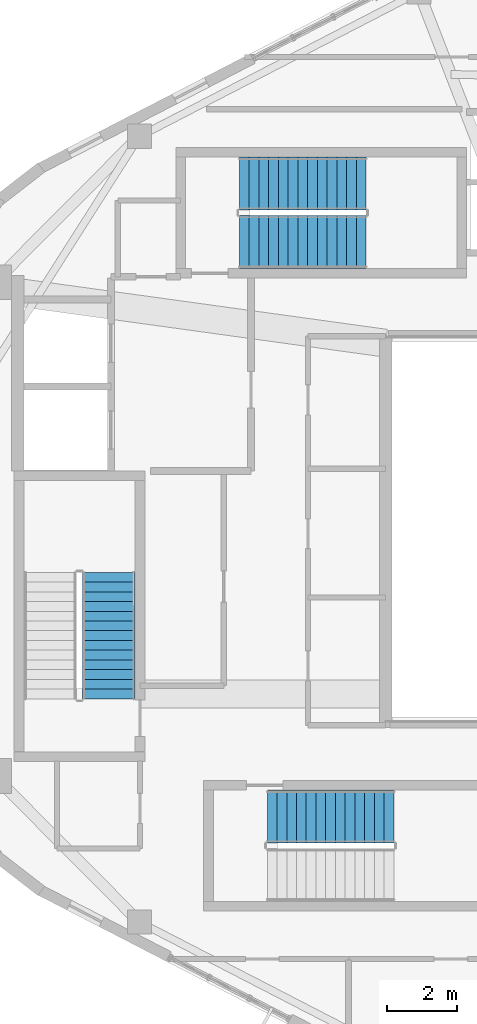
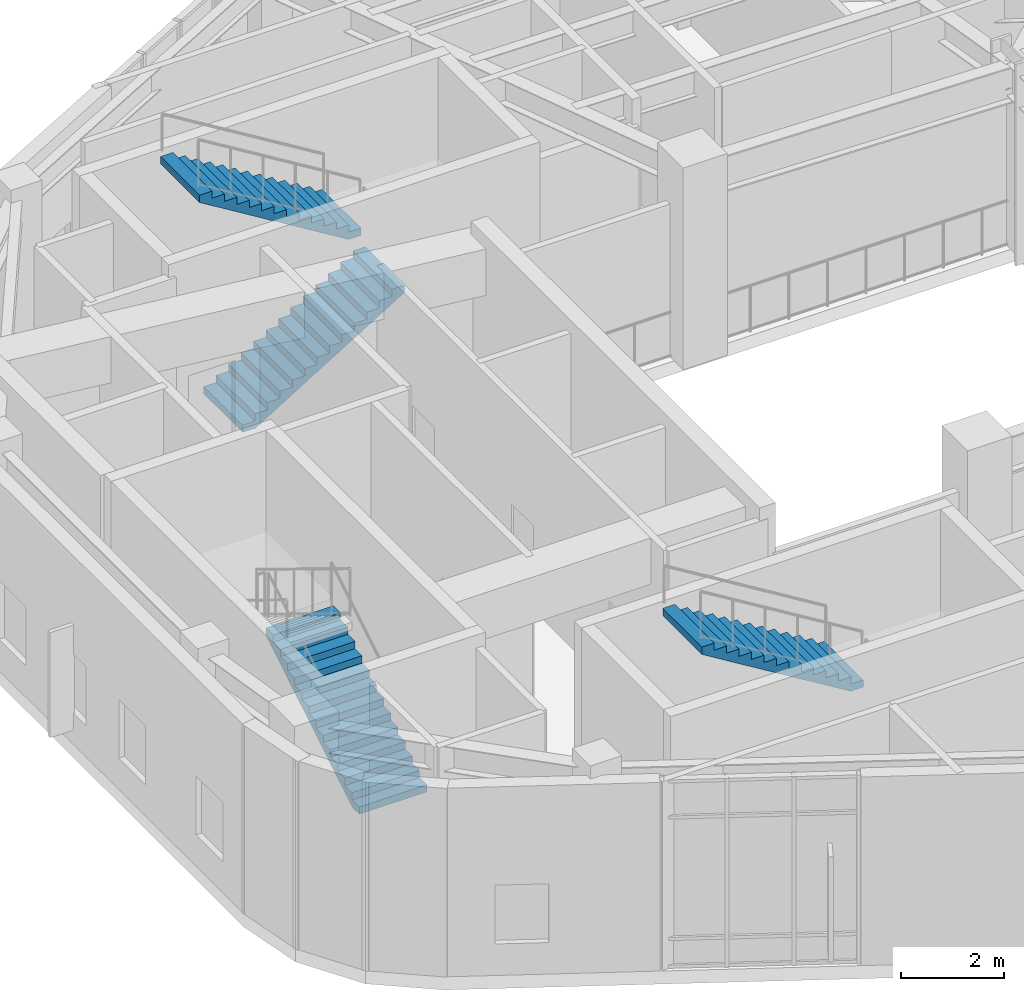
# One storey, part 17 of 19: 4 stair flights, 3 elements without a shape of their own.
"""IFC4 building model written with IfcOpenShell, lengths in metres."""

from ifc_helpers import new_model, si_unit, direction, frame, origin, place, context, subcontext, project, spatial, polyline, outline, extrude, material, type_object, element, aggregate, save


model = new_model("IFC4")

# Units and contexts
model_context = context("Model", 3, precision=1e-05, world=origin(), true_north=direction((0.0, 1.0)))
body_context = subcontext(model_context, "Body", "Model", "MODEL_VIEW")
ifc_project = project(units=[si_unit("LENGTHUNIT", "METRE"), si_unit("AREAUNIT", "SQUARE_METRE"), si_unit("VOLUMEUNIT", "CUBIC_METRE"), si_unit("PLANEANGLEUNIT", "RADIAN"), si_unit("MASSUNIT", "GRAM", prefix="KILO"), si_unit("THERMODYNAMICTEMPERATUREUNIT", "KELVIN"), si_unit("POWERUNIT", "WATT")], contexts=[model_context])

# Site, building, storey
site_placement = place(None, origin())
site = spatial("IfcSite", under=ifc_project, at=site_placement, CompositionType="ELEMENT")
building_placement = place(site_placement, origin())
building = spatial("IfcBuilding", under=site, at=building_placement, Name="Skarre Station Tower", CompositionType="ELEMENT")
storey_placement = place(building_placement, frame((0.0, 0.0, 275.10009765625)))
storey = spatial("IfcBuildingStorey", under=building, at=storey_placement, Name="L75", CompositionType="ELEMENT", Elevation=275.10009765625)

# Stair, stair flight
ifc_material = material(Name="Concrete C40/50", Category="concrete")
stair_type_1 = type_object("IfcStairType", Name="Reinforced Concrete Exit Stair ST-1", PredefinedType="HALF_TURN_STAIR", material=ifc_material)
stair_1_placement = place(storey_placement, origin())
stair_1 = element("IfcStair", 1, at=stair_1_placement, inside=storey, type_object=stair_type_1, Name="L75 Core Exit Stair ST-1", PredefinedType="HALF_TURN_STAIR")
stair_flight_type_1 = type_object("IfcStairFlightType", Name="Reinforced Concrete Stair Flight ST-1", PredefinedType="STRAIGHT", material=ifc_material)
stair_flight_1_placement = place(storey_placement, frame((19.590087890625, 19.1201171875, 0.0), z_axis=(0.0, 0.0, 1.0), x_axis=(0.0, 1.0, 0.0)))
stair_flight_1 = element("IfcStairFlight", 2, at=stair_flight_1_placement, type_object=stair_flight_type_1, Name="ST-1 flight 1", NumberOfRisers=14, NumberOfTreads=13, PredefinedType="STRAIGHT", RiserHeight=0.171428571, TreadLength=0.28, context=body_context, shape_type="SweptSolid", body=[
    extrude(outline(polyline([(0.0, 0.0), (0.0, 0.17138671875), (0.280029296875, 0.17138671875), (0.280029296875, 0.3427734375), (0.56005859375, 0.3427734375), (0.56005859375, 0.514404296875), (0.840087890625, 0.514404296875), (0.840087890625, 0.685791015625), (1.1201171875, 0.685791015625), (1.1201171875, 0.857177734375), (1.39990234375, 0.857177734375), (1.39990234375, 1.028564453125), (1.679931640625, 1.028564453125), (1.679931640625, 1.199951171875), (1.9599609375, 1.199951171875), (1.9599609375, 1.371337890625), (2.239990234375, 1.371337890625), (2.239990234375, 1.54296875), (2.52001953125, 1.54296875), (2.52001953125, 1.71435546875), (2.800048828125, 1.71435546875), (2.800048828125, 1.8857421875), (3.080078125, 1.8857421875), (3.080078125, 2.05712890625), (3.360107421875, 2.05712890625), (3.360107421875, 2.228515625), (3.639892578125, 2.228515625), (3.639892578125, 2.39990234375), (3.639892578125, 2.052734375), (0.287109375, 0.0), (0.0, 0.0)])), frame((0.0, 0.760009765625, 0.0), z_axis=(0.0, -1.0, 0.0), x_axis=(1.0, 0.0, 0.0)), (0.0, 0.0, 1.0), 1.52001953125),
])
aggregate(stair_1, [stair_flight_1])

stair_type_2 = type_object("IfcStairType", Name="Reinforced Concrete Exit Stair ST-2", PredefinedType="HALF_TURN_STAIR", material=ifc_material)
stair_2_placement = place(storey_placement, origin())
stair_2 = element("IfcStair", 3, at=stair_2_placement, inside=storey, type_object=stair_type_2, Name="L75 Core Exit Stair ST-2", PredefinedType="HALF_TURN_STAIR")
stair_flight_type_2 = type_object("IfcStairFlightType", Name="Reinforced Concrete Stair Flight ST-2", PredefinedType="STRAIGHT", material=ifc_material)
stair_flight_2_placement = place(storey_placement, frame((27.7900390625, 15.739990234375, 2.39990234375), z_axis=(0.0, 0.0, 1.0), x_axis=(-1.0, 0.0, 0.0)))
stair_flight_2 = element("IfcStairFlight", 4, at=stair_flight_2_placement, type_object=stair_flight_type_2, Name="ST-2 flight 2", NumberOfRisers=14, NumberOfTreads=13, PredefinedType="STRAIGHT", RiserHeight=0.171428571, TreadLength=0.28, context=body_context, shape_type="SweptSolid", body=[
    extrude(outline(polyline([(0.0, 0.0), (0.0, 0.17138671875), (0.280029296875, 0.17138671875), (0.280029296875, 0.3427734375), (0.56005859375, 0.3427734375), (0.56005859375, 0.514404296875), (0.840087890625, 0.514404296875), (0.840087890625, 0.685791015625), (1.1201171875, 0.685791015625), (1.1201171875, 0.857177734375), (1.39990234375, 0.857177734375), (1.39990234375, 1.028564453125), (1.679931640625, 1.028564453125), (1.679931640625, 1.199951171875), (1.9599609375, 1.199951171875), (1.9599609375, 1.371337890625), (2.239990234375, 1.371337890625), (2.239990234375, 1.54296875), (2.52001953125, 1.54296875), (2.52001953125, 1.71435546875), (2.800048828125, 1.71435546875), (2.800048828125, 1.8857421875), (3.080078125, 1.8857421875), (3.080078125, 2.05712890625), (3.360107421875, 2.05712890625), (3.360107421875, 2.228515625), (3.639892578125, 2.228515625), (3.639892578125, 2.39990234375), (3.639892578125, 2.052734375), (0.287109375, 0.0), (0.0, 0.0)])), frame((0.0, 0.760009765625, 0.0), z_axis=(0.0, -1.0, 0.0), x_axis=(1.0, 0.0, 0.0)), (0.0, 0.0, 1.0), 1.52001953125),
])
aggregate(stair_2, [stair_flight_2])

# Stair, stair flights
stair_type_3 = type_object("IfcStairType", Name="Reinforced Concrete Exit Stair ST-3", PredefinedType="HALF_TURN_STAIR", material=ifc_material)
stair_3_placement = place(storey_placement, origin())
stair_3 = element("IfcStair", 5, at=stair_3_placement, inside=storey, type_object=stair_type_3, Name="L75 Core Exit Stair ST-3", PredefinedType="HALF_TURN_STAIR")
stair_flight_type_3 = type_object("IfcStairFlightType", Name="Reinforced Concrete Stair Flight ST-3", PredefinedType="STRAIGHT", material=ifc_material)
stair_flight_3_placement = place(storey_placement, frame((23.35009765625, 32.260009765625, 0.0), z_axis=(0.0, 0.0, 1.0), x_axis=(1.0, 0.0, 0.0)))
stair_flight_3 = element("IfcStairFlight", 6, at=stair_flight_3_placement, type_object=stair_flight_type_3, Name="ST-3 flight 1", NumberOfRisers=14, NumberOfTreads=13, PredefinedType="STRAIGHT", RiserHeight=0.171428571, TreadLength=0.28, context=body_context, shape_type="SweptSolid", body=[
    extrude(outline(polyline([(0.0, 0.0), (0.0, 0.17138671875), (0.280029296875, 0.17138671875), (0.280029296875, 0.3427734375), (0.56005859375, 0.3427734375), (0.56005859375, 0.514404296875), (0.840087890625, 0.514404296875), (0.840087890625, 0.685791015625), (1.1201171875, 0.685791015625), (1.1201171875, 0.857177734375), (1.39990234375, 0.857177734375), (1.39990234375, 1.028564453125), (1.679931640625, 1.028564453125), (1.679931640625, 1.199951171875), (1.9599609375, 1.199951171875), (1.9599609375, 1.371337890625), (2.239990234375, 1.371337890625), (2.239990234375, 1.54296875), (2.52001953125, 1.54296875), (2.52001953125, 1.71435546875), (2.800048828125, 1.71435546875), (2.800048828125, 1.8857421875), (3.080078125, 1.8857421875), (3.080078125, 2.05712890625), (3.360107421875, 2.05712890625), (3.360107421875, 2.228515625), (3.639892578125, 2.228515625), (3.639892578125, 2.39990234375), (3.639892578125, 2.052734375), (0.287109375, 0.0), (0.0, 0.0)])), frame((0.0, 0.760009765625, 0.0), z_axis=(0.0, -1.0, 0.0), x_axis=(1.0, 0.0, 0.0)), (0.0, 0.0, 1.0), 1.52001953125),
])
stair_flight_4_placement = place(storey_placement, frame((26.989990234375, 33.93994140625, 2.39990234375), z_axis=(0.0, 0.0, 1.0), x_axis=(-1.0, 0.0, 0.0)))
stair_flight_4 = element("IfcStairFlight", 7, at=stair_flight_4_placement, type_object=stair_flight_type_3, Name="ST-3 flight 2", NumberOfRisers=14, NumberOfTreads=13, PredefinedType="STRAIGHT", RiserHeight=0.171428571, TreadLength=0.28, context=body_context, shape_type="SweptSolid", body=[
    extrude(outline(polyline([(0.0, 0.0), (0.0, 0.17138671875), (0.280029296875, 0.17138671875), (0.280029296875, 0.3427734375), (0.56005859375, 0.3427734375), (0.56005859375, 0.514404296875), (0.840087890625, 0.514404296875), (0.840087890625, 0.685791015625), (1.1201171875, 0.685791015625), (1.1201171875, 0.857177734375), (1.39990234375, 0.857177734375), (1.39990234375, 1.028564453125), (1.679931640625, 1.028564453125), (1.679931640625, 1.199951171875), (1.9599609375, 1.199951171875), (1.9599609375, 1.371337890625), (2.239990234375, 1.371337890625), (2.239990234375, 1.54296875), (2.52001953125, 1.54296875), (2.52001953125, 1.71435546875), (2.800048828125, 1.71435546875), (2.800048828125, 1.8857421875), (3.080078125, 1.8857421875), (3.080078125, 2.05712890625), (3.360107421875, 2.05712890625), (3.360107421875, 2.228515625), (3.639892578125, 2.228515625), (3.639892578125, 2.39990234375), (3.639892578125, 2.052734375), (0.287109375, 0.0), (0.0, 0.0)])), frame((0.0, 0.760009765625, 0.0), z_axis=(0.0, -1.0, 0.0), x_axis=(1.0, 0.0, 0.0)), (0.0, 0.0, 1.0), 1.52001953125),
])
aggregate(stair_3, [stair_flight_3, stair_flight_4])

save(model, "model.ifc")
